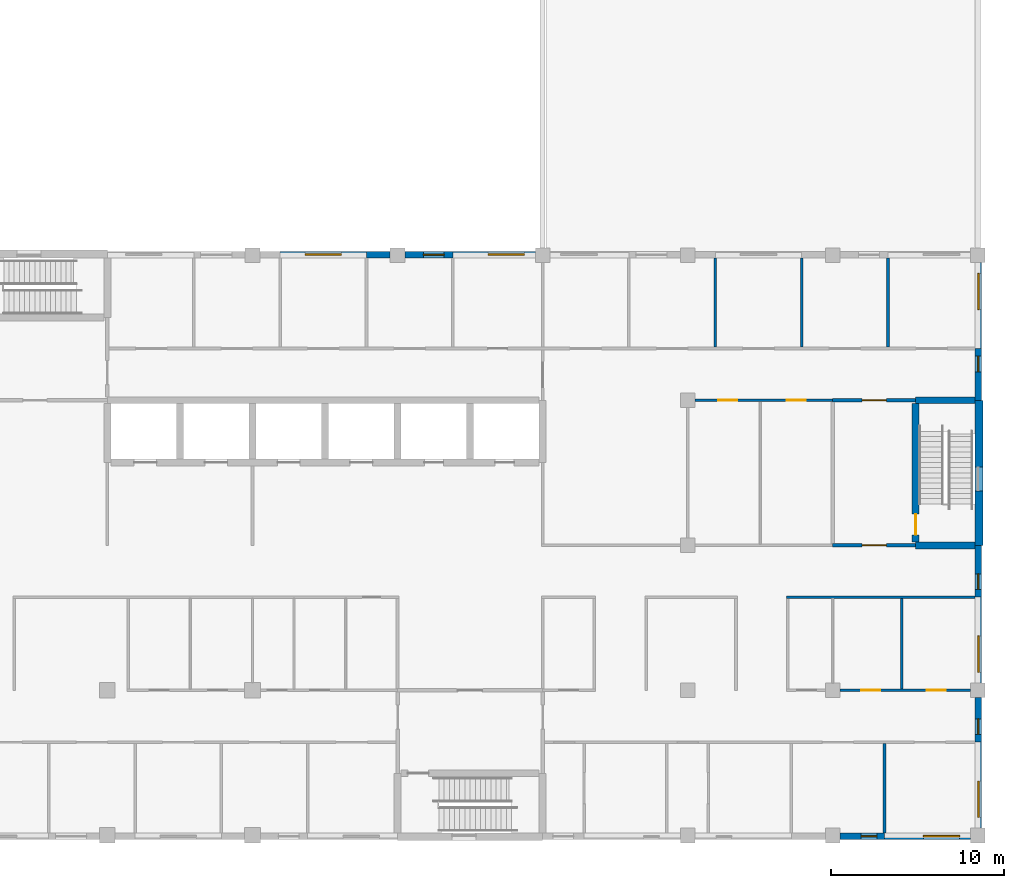
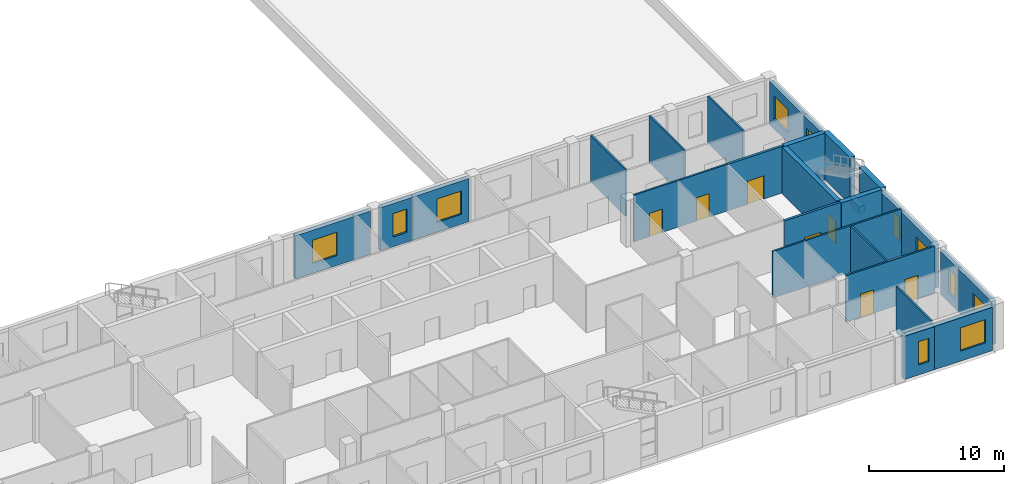
# One storey, part 48 of 66: 28 walls, 11 windows, 7 doors, 18 openings.
"""IFC4 building model written with IfcOpenShell, lengths in metres."""

from ifc_helpers import new_model, si_unit, direction, frame, frame_2d, origin, place, context, subcontext, project, spatial, rectangle, extrude, material, layer, layer_set, type_object, element, fill, save


model = new_model("IFC4")

# Units and contexts
model_context = context("Model", 3, precision=1e-05, world=origin(), true_north=direction((0.0, 1.0)))
body_context = subcontext(model_context, "Body", "Model", "MODEL_VIEW")
ifc_project = project(units=[si_unit("LENGTHUNIT", "METRE"), si_unit("AREAUNIT", "SQUARE_METRE"), si_unit("VOLUMEUNIT", "CUBIC_METRE"), si_unit("PLANEANGLEUNIT", "RADIAN"), si_unit("MASSUNIT", "GRAM", prefix="KILO")], contexts=[model_context])

# Site, building, storey
site_placement = place(None, origin())
site = spatial("IfcSite", under=ifc_project, at=site_placement, CompositionType="ELEMENT")
building_placement = place(site_placement, origin())
building = spatial("IfcBuilding", under=site, at=building_placement, Name="Yavir Park General Hospital", CompositionType="ELEMENT")
storey_placement = place(building_placement, frame((0.0, 0.0, 8.39990234375)))
storey = spatial("IfcBuildingStorey", under=building, at=storey_placement, Name="L02", CompositionType="ELEMENT", Elevation=8.39990234375)

# Wall, opening, door
ifc_material_1 = material(Name="Double gypsum board fire partition on steel studs", Category="steel")
ifc_layer_1 = layer(ifc_material_1, 0.199951171875)
ifc_layer_set_1 = layer_set([ifc_layer_1], Name="Double gypsum board fire partition on steel studs")
wall_type_1 = type_object("IfcWallType", Name="Fire-rated partition 200, EI 60", PredefinedType="PARTITIONING", material=ifc_layer_set_1)
wall_1_placement = place(storey_placement, frame((159.60009765625, 16.800048828125, 0.0), z_axis=(0.0, 0.0, 1.0), x_axis=(1.0, 0.0, 0.0)))
wall_1 = element("IfcWall", 1, at=wall_1_placement, inside=storey, type_object=wall_type_1, Name="FP20 L02-047", PredefinedType="PARTITIONING", context=body_context, shape_type="SweptSolid", body=[
    extrude(rectangle(XDim=4.7998046875, YDim=0.199951171875, at=frame_2d((2.39990234375, 0.0))), origin(), (0.0, 0.0, 1.0), 4.2001953125),
])
opening_1_placement = place(wall_1_placement, frame((1.699951171875, 0.0, 0.0)))
opening_1 = element("IfcOpeningElement", 2, at=opening_1_placement, cuts=wall_1, Name="Opening L02.D061", PredefinedType="OPENING", context=body_context, shape_type="SweptSolid", body=[
    extrude(rectangle(XDim=1.39990234375, YDim=2.10009765625, at=frame_2d((0.699951171875, 1.050048828125))), frame((0.0, 0.10986328125, 0.0), z_axis=(0.0, -1.0, 0.0), x_axis=(1.0, 0.0, 0.0)), (0.0, 0.0, 1.0), 0.219970703125),
])
ifc_material_2 = material(Name="Steel frame, fire-resisting leaves with vision panels", Category="steel")
door_type_1 = type_object("IfcDoorType", Name="Double fire door with vision panels 1400 x 2100, EI 60", OperationType="DOUBLE_DOOR_SINGLE_SWING", PredefinedType="DOOR", material=ifc_material_2)
door_1_placement = place(opening_1_placement, origin())
door_1 = element("IfcDoor", 3, at=door_1_placement, inside=storey, type_object=door_type_1, Name="L02.D061", OperationType="SINGLE_SWING_RIGHT", OverallHeight=2.10009765625, OverallWidth=1.39990234375, PredefinedType="DOOR", context=body_context, shape_type="SweptSolid", body=[
    extrude(rectangle(XDim=1.39990234375, YDim=2.10009765625, at=frame_2d((0.699951171875, 1.050048828125))), frame((0.0, 0.030029296875, 0.0), z_axis=(0.0, -1.0, 0.0), x_axis=(1.0, 0.0, 0.0)), (0.0, 0.0, 1.0), 0.06005859375),
])
fill(opening_1, door_1)

wall_2_placement = place(storey_placement, frame((159.60009765625, 25.199951171875, 0.0), z_axis=(0.0, 0.0, 1.0), x_axis=(1.0, 0.0, 0.0)))
wall_2 = element("IfcWall", 4, at=wall_2_placement, inside=storey, type_object=wall_type_1, Name="FP20 L02-070", PredefinedType="PARTITIONING", context=body_context, shape_type="SweptSolid", body=[
    extrude(rectangle(XDim=4.7998046875, YDim=0.199951171875, at=frame_2d((2.39990234375, 0.0))), origin(), (0.0, 0.0, 1.0), 4.2001953125),
])
opening_2_placement = place(wall_2_placement, frame((1.699951171875, 0.0, 0.0)))
opening_2 = element("IfcOpeningElement", 5, at=opening_2_placement, cuts=wall_2, Name="Opening L02.D079", PredefinedType="OPENING", context=body_context, shape_type="SweptSolid", body=[
    extrude(rectangle(XDim=1.39990234375, YDim=2.10009765625, at=frame_2d((0.699951171875, 1.050048828125))), frame((0.0, 0.10986328125, 0.0), z_axis=(0.0, -1.0, 0.0), x_axis=(1.0, 0.0, 0.0)), (0.0, 0.0, 1.0), 0.219970703125),
])
door_2_placement = place(opening_2_placement, origin())
door_2 = element("IfcDoor", 6, at=door_2_placement, inside=storey, type_object=door_type_1, Name="L02.D079", OperationType="SINGLE_SWING_LEFT", OverallHeight=2.10009765625, OverallWidth=1.39990234375, PredefinedType="DOOR", context=body_context, shape_type="SweptSolid", body=[
    extrude(rectangle(XDim=1.39990234375, YDim=2.10009765625, at=frame_2d((0.699951171875, 1.050048828125))), frame((0.0, 0.030029296875, 0.0), z_axis=(0.0, -1.0, 0.0), x_axis=(1.0, 0.0, 0.0)), (0.0, 0.0, 1.0), 0.06005859375),
])
fill(opening_2, door_2)

# Wall, openings, doors
ifc_material_3 = material(Name="Gypsum board partition on steel studs", Category="steel")
ifc_layer_2 = layer(ifc_material_3, 0.14990234375)
ifc_layer_set_2 = layer_set([ifc_layer_2], Name="Gypsum board partition on steel studs")
wall_type_2 = type_object("IfcWallType", Name="Gypsum board partition 150", PredefinedType="PARTITIONING", material=ifc_layer_set_2)
wall_3_placement = place(storey_placement, frame((160.02490234375, 8.39990234375, 0.0), z_axis=(0.0, 0.0, 1.0), x_axis=(1.0, 0.0, 0.0)))
wall_3 = element("IfcWall", 7, at=wall_3_placement, inside=storey, type_object=wall_type_2, Name="P15 L02-025", PredefinedType="PARTITIONING", context=body_context, shape_type="SweptSolid", body=[
    extrude(rectangle(XDim=7.550048828125, YDim=0.14990234375, at=frame_2d((3.77490234375, 0.0))), origin(), (0.0, 0.0, 1.0), 4.2001953125),
])
opening_3_placement = place(wall_3_placement, frame((1.237548828125, 0.0, 0.0)))
opening_3 = element("IfcOpeningElement", 8, at=opening_3_placement, cuts=wall_3, Name="Opening L02.D037", PredefinedType="OPENING", context=body_context, shape_type="SweptSolid", body=[
    extrude(rectangle(XDim=1.10009765625, YDim=2.10009765625, at=frame_2d((0.550048828125, 1.050048828125))), frame((0.0, 0.0849609375, 0.0), z_axis=(0.0, -1.0, 0.0), x_axis=(1.0, 0.0, 0.0)), (0.0, 0.0, 1.0), 0.169921875),
])
opening_4_placement = place(wall_3_placement, frame((5.012451171875, 0.0, 0.0)))
opening_4 = element("IfcOpeningElement", 9, at=opening_4_placement, cuts=wall_3, Name="Opening L02.D038", PredefinedType="OPENING", context=body_context, shape_type="SweptSolid", body=[
    extrude(rectangle(XDim=1.10009765625, YDim=2.10009765625, at=frame_2d((0.550048828125, 1.050048828125))), frame((0.0, 0.0849609375, 0.0), z_axis=(0.0, -1.0, 0.0), x_axis=(1.0, 0.0, 0.0)), (0.0, 0.0, 1.0), 0.169921875),
])
ifc_material_4 = material(Name="Hollow metal frame, solid-core timber leaf", Category="wood")
door_type_2 = type_object("IfcDoorType", Name="Single swing door 1100 x 2100", OperationType="SINGLE_SWING_LEFT", PredefinedType="DOOR", material=ifc_material_4)
door_3_placement = place(opening_3_placement, origin())
door_3 = element("IfcDoor", 10, at=door_3_placement, inside=storey, type_object=door_type_2, Name="L02.D037", OperationType="SINGLE_SWING_LEFT", OverallHeight=2.10009765625, OverallWidth=1.10009765625, PredefinedType="DOOR", context=body_context, shape_type="SweptSolid", body=[
    extrude(rectangle(XDim=1.10009765625, YDim=2.10009765625, at=frame_2d((0.550048828125, 1.050048828125))), frame((0.0, 0.02490234375, 0.0), z_axis=(0.0, -1.0, 0.0), x_axis=(1.0, 0.0, 0.0)), (0.0, 0.0, 1.0), 0.050048828125),
])
fill(opening_3, door_3)
door_4_placement = place(opening_4_placement, origin())
door_4 = element("IfcDoor", 11, at=door_4_placement, inside=storey, type_object=door_type_2, Name="L02.D038", OperationType="SINGLE_SWING_RIGHT", OverallHeight=2.10009765625, OverallWidth=1.10009765625, PredefinedType="DOOR", context=body_context, shape_type="SweptSolid", body=[
    extrude(rectangle(XDim=1.10009765625, YDim=2.10009765625, at=frame_2d((0.550048828125, 1.050048828125))), frame((0.0, 0.02490234375, 0.0), z_axis=(0.0, -1.0, 0.0), x_axis=(1.0, 0.0, 0.0)), (0.0, 0.0, 1.0), 0.050048828125),
])
fill(opening_4, door_4)

# Wall
wall_4_placement = place(storey_placement, frame((156.925048828125, 13.800048828125, 0.0), z_axis=(0.0, 0.0, 1.0), x_axis=(1.0, 0.0, 0.0)))
element("IfcWall", 12, at=wall_4_placement, inside=storey, type_object=wall_type_2, Name="P15 L02-033", PredefinedType="PARTITIONING", context=body_context, shape_type="SweptSolid", body=[
    extrude(rectangle(XDim=10.925048828125, YDim=0.14990234375, at=frame_2d((5.46240234375, 0.0))), origin(), (0.0, 0.0, 1.0), 4.2001953125),
])

# Wall, openings, doors
wall_5_placement = place(storey_placement, frame((151.625, 25.199951171875, 0.0), z_axis=(0.0, 0.0, 1.0), x_axis=(1.0, 0.0, 0.0)))
wall_5 = element("IfcWall", 13, at=wall_5_placement, inside=storey, type_object=wall_type_2, Name="P15 L02-069", PredefinedType="PARTITIONING", context=body_context, shape_type="SweptSolid", body=[
    extrude(rectangle(XDim=7.97509765625, YDim=0.14990234375, at=frame_2d((3.987548828125, 0.0))), origin(), (0.0, 0.0, 1.0), 4.2001953125),
])
opening_5_placement = place(wall_5_placement, frame((1.33740234375, 0.0, 0.0)))
opening_5 = element("IfcOpeningElement", 14, at=opening_5_placement, cuts=wall_5, Name="Opening L02.D077", PredefinedType="OPENING", context=body_context, shape_type="SweptSolid", body=[
    extrude(rectangle(XDim=1.10009765625, YDim=2.10009765625, at=frame_2d((0.550048828125, 1.050048828125))), frame((0.0, 0.0849609375, 0.0), z_axis=(0.0, -1.0, 0.0), x_axis=(1.0, 0.0, 0.0)), (0.0, 0.0, 1.0), 0.169921875),
])
opening_6_placement = place(wall_5_placement, frame((5.324951171875, 0.0, 0.0)))
opening_6 = element("IfcOpeningElement", 15, at=opening_6_placement, cuts=wall_5, Name="Opening L02.D078", PredefinedType="OPENING", context=body_context, shape_type="SweptSolid", body=[
    extrude(rectangle(XDim=1.10009765625, YDim=2.10009765625, at=frame_2d((0.550048828125, 1.050048828125))), frame((0.0, 0.0849609375, 0.0), z_axis=(0.0, -1.0, 0.0), x_axis=(1.0, 0.0, 0.0)), (0.0, 0.0, 1.0), 0.169921875),
])
door_5_placement = place(opening_5_placement, origin())
door_5 = element("IfcDoor", 16, at=door_5_placement, inside=storey, type_object=door_type_2, Name="L02.D077", OperationType="SINGLE_SWING_RIGHT", OverallHeight=2.10009765625, OverallWidth=1.10009765625, PredefinedType="DOOR", context=body_context, shape_type="SweptSolid", body=[
    extrude(rectangle(XDim=1.10009765625, YDim=2.10009765625, at=frame_2d((0.550048828125, 1.050048828125))), frame((0.0, 0.02490234375, 0.0), z_axis=(0.0, -1.0, 0.0), x_axis=(1.0, 0.0, 0.0)), (0.0, 0.0, 1.0), 0.050048828125),
])
fill(opening_5, door_5)
door_6_placement = place(opening_6_placement, origin())
door_6 = element("IfcDoor", 17, at=door_6_placement, inside=storey, type_object=door_type_2, Name="L02.D078", OperationType="SINGLE_SWING_LEFT", OverallHeight=2.10009765625, OverallWidth=1.10009765625, PredefinedType="DOOR", context=body_context, shape_type="SweptSolid", body=[
    extrude(rectangle(XDim=1.10009765625, YDim=2.10009765625, at=frame_2d((0.550048828125, 1.050048828125))), frame((0.0, 0.02490234375, 0.0), z_axis=(0.0, -1.0, 0.0), x_axis=(1.0, 0.0, 0.0)), (0.0, 0.0, 1.0), 0.050048828125),
])
fill(opening_6, door_6)

# Walls
for number, where, z_axis, x_axis, name in (
    (18, (152.800048828125, 28.27490234375, 0.0), (0.0, 0.0, 1.0), (0.0, 1.0, 0.0), "P15 L02-329"),
    (19, (157.800048828125, 28.27490234375, 0.0), (0.0, 0.0, 1.0), (0.0, 1.0, 0.0), "P15 L02-335"),
    (20, (162.60009765625, 0.14990234375, 0.0), (0.0, 0.0, 1.0), (0.0, 1.0, 0.0), "P15 L02-339"),
    (21, (162.800048828125, 28.27490234375, 0.0), (0.0, 0.0, 1.0), (0.0, 1.0, 0.0), "P15 L02-340"),
):
    element("IfcWall", number, at=place(storey_placement, frame(where, z_axis=z_axis, x_axis=x_axis)), inside=storey, type_object=wall_type_2, Name=name, PredefinedType="PARTITIONING", context=body_context, shape_type="SweptSolid", body=[
        extrude(rectangle(XDim=5.175048828125, YDim=0.14990234375, at=frame_2d((2.58740234375, 0.0))), origin(), (0.0, 0.0, 1.0), 4.2001953125),
    ])
wall_6_placement = place(storey_placement, frame((163.60009765625, 8.47509765625, 0.0), z_axis=(0.0, 0.0, 1.0), x_axis=(0.0, 1.0, 0.0)))
element("IfcWall", 22, at=wall_6_placement, inside=storey, type_object=wall_type_2, Name="P15 L02-341", PredefinedType="PARTITIONING", context=body_context, shape_type="SweptSolid", body=[
    extrude(rectangle(XDim=5.25, YDim=0.14990234375, at=frame_2d((2.625, 0.0))), origin(), (0.0, 0.0, 1.0), 4.2001953125),
])

# Wall, opening, window
ifc_material_5 = material(Name="Autoclaved aerated block, 150 mm mineral wool and sand-coloured mineral render")
ifc_layer_3 = layer(ifc_material_5, 0.375)
ifc_layer_set_3 = layer_set([ifc_layer_3], Name="Autoclaved aerated block, 150 mm mineral wool and sand-coloured mineral render")
wall_type_3 = type_object("IfcWallType", Name="Mineral render clinical wall 375, E 30", PredefinedType="SOLIDWALL", material=ifc_layer_set_3)
wall_7_placement = place(storey_placement, frame((160.02490234375, -0.03759765625, 0.0), z_axis=(0.0, 0.0, 1.0), x_axis=(1.0, 0.0, 0.0)))
wall_7 = element("IfcWall", 23, at=wall_7_placement, inside=storey, type_object=wall_type_3, Name="XW1 L02-044", PredefinedType="SOLIDWALL", context=body_context, shape_type="SweptSolid", body=[
    extrude(rectangle(XDim=2.5751953125, YDim=0.375, at=frame_2d((1.28759765625, 0.0))), origin(), (0.0, 0.0, 1.0), 3.900146484375),
])
opening_7_placement = place(wall_7_placement, frame((1.22509765625, 0.0, 0.89990234375)))
opening_7 = element("IfcOpeningElement", 24, at=opening_7_placement, cuts=wall_7, Name="Opening WH2", PredefinedType="OPENING", context=body_context, shape_type="SweptSolid", body=[
    extrude(rectangle(XDim=0.89990234375, YDim=2.10009765625, at=frame_2d((0.449951171875, 1.050048828125))), frame((0.0, 0.197509765625, 0.0), z_axis=(0.0, -1.0, 0.0), x_axis=(1.0, 0.0, 0.0)), (0.0, 0.0, 1.0), 0.39501953125),
])
ifc_material_6 = material(Name="Aluminium frame, double glazed unit", Category="aluminium")
window_type_1 = type_object("IfcWindowType", Name="Tall narrow window 900 x 2100", PartitioningType="SINGLE_PANEL", PredefinedType="WINDOW", material=ifc_material_6)
window_1_placement = place(opening_7_placement, origin())
window_1 = element("IfcWindow", 25, at=window_1_placement, inside=storey, type_object=window_type_1, Name="WH2 L02-018", OverallHeight=2.10009765625, OverallWidth=0.89990234375, PartitioningType="SINGLE_PANEL", PredefinedType="WINDOW", context=body_context, shape_type="SweptSolid", body=[
    extrude(rectangle(XDim=0.89990234375, YDim=2.10009765625, at=frame_2d((0.449951171875, 1.050048828125))), frame((0.0, 0.030029296875, 0.0), z_axis=(0.0, -1.0, 0.0), x_axis=(1.0, 0.0, 0.0)), (0.0, 0.0, 1.0), 0.06005859375),
])
fill(opening_7, window_1)

wall_8_placement = place(storey_placement, frame((162.60009765625, -0.03759765625, 0.0), z_axis=(0.0, 0.0, 1.0), x_axis=(1.0, 0.0, 0.0)))
wall_8 = element("IfcWall", 26, at=wall_8_placement, inside=storey, type_object=wall_type_3, Name="XW1 L02-045", PredefinedType="SOLIDWALL", context=body_context, shape_type="SweptSolid", body=[
    extrude(rectangle(XDim=4.974853515625, YDim=0.375, at=frame_2d((2.4873046875, 0.0))), origin(), (0.0, 0.0, 1.0), 3.900146484375),
])
opening_8_placement = place(wall_8_placement, frame((2.25, 0.0, 0.89990234375)))
opening_8 = element("IfcOpeningElement", 27, at=opening_8_placement, cuts=wall_8, Name="Opening WI2", PredefinedType="OPENING", context=body_context, shape_type="SweptSolid", body=[
    extrude(rectangle(XDim=2.10009765625, YDim=2.10009765625, at=frame_2d((1.050048828125, 1.050048828125))), frame((0.0, 0.197509765625, 0.0), z_axis=(0.0, -1.0, 0.0), x_axis=(1.0, 0.0, 0.0)), (0.0, 0.0, 1.0), 0.39501953125),
])
ifc_material_7 = material(Name="Aluminium frame, acoustic glazed unit", Category="aluminium")
window_type_2 = type_object("IfcWindowType", Name="Tall acoustic glazed window 2100 x 2100", PartitioningType="SINGLE_PANEL", PredefinedType="WINDOW", material=ifc_material_7)
window_2_placement = place(opening_8_placement, origin())
window_2 = element("IfcWindow", 28, at=window_2_placement, inside=storey, type_object=window_type_2, Name="WI2 L02-019", OverallHeight=2.10009765625, OverallWidth=2.10009765625, PartitioningType="SINGLE_PANEL", PredefinedType="WINDOW", context=body_context, shape_type="SweptSolid", body=[
    extrude(rectangle(XDim=2.10009765625, YDim=2.10009765625, at=frame_2d((1.050048828125, 1.050048828125))), frame((0.0, 0.044921875, 0.0), z_axis=(0.0, -1.0, 0.0), x_axis=(1.0, 0.0, 0.0)), (0.0, 0.0, 1.0), 0.090087890625),
])
fill(opening_8, window_2)

wall_9_placement = place(storey_placement, frame((127.60009765625, 33.637451171875, 0.0), z_axis=(0.0, 0.0, 1.0), x_axis=(1.0, 0.0, 0.0)))
wall_9 = element("IfcWall", 29, at=wall_9_placement, inside=storey, type_object=wall_type_3, Name="XW1 L02-066", PredefinedType="SOLIDWALL", context=body_context, shape_type="SweptSolid", body=[
    extrude(rectangle(XDim=5.0, YDim=0.375, at=frame_2d((2.5, 0.0))), origin(), (0.0, 0.0, 1.0), 3.900146484375),
])
opening_9_placement = place(wall_9_placement, frame((1.449951171875, 0.0, 0.89990234375)))
opening_9 = element("IfcOpeningElement", 30, at=opening_9_placement, cuts=wall_9, Name="Opening WI2", PredefinedType="OPENING", context=body_context, shape_type="SweptSolid", body=[
    extrude(rectangle(XDim=2.10009765625, YDim=2.10009765625, at=frame_2d((1.050048828125, 1.050048828125))), frame((0.0, 0.197509765625, 0.0), z_axis=(0.0, -1.0, 0.0), x_axis=(1.0, 0.0, 0.0)), (0.0, 0.0, 1.0), 0.39501953125),
])
window_3_placement = place(opening_9_placement, origin())
window_3 = element("IfcWindow", 31, at=window_3_placement, inside=storey, type_object=window_type_2, Name="WI2 L02-038", OverallHeight=2.10009765625, OverallWidth=2.10009765625, PartitioningType="SINGLE_PANEL", PredefinedType="WINDOW", context=body_context, shape_type="SweptSolid", body=[
    extrude(rectangle(XDim=2.10009765625, YDim=2.10009765625, at=frame_2d((1.050048828125, 1.050048828125))), frame((0.0, 0.044921875, 0.0), z_axis=(0.0, -1.0, 0.0), x_axis=(1.0, 0.0, 0.0)), (0.0, 0.0, 1.0), 0.090087890625),
])
fill(opening_9, window_3)

# Wall
wall_10_placement = place(storey_placement, frame((132.60009765625, 33.637451171875, 0.0), z_axis=(0.0, 0.0, 1.0), x_axis=(1.0, 0.0, 0.0)))
element("IfcWall", 32, at=wall_10_placement, inside=storey, type_object=wall_type_3, Name="XW1 L02-067", PredefinedType="SOLIDWALL", context=body_context, shape_type="SweptSolid", body=[
    extrude(rectangle(XDim=1.375, YDim=0.375, at=frame_2d((0.6875, 0.0))), origin(), (0.0, 0.0, 1.0), 3.900146484375),
])

# Wall, opening, window
wall_11_placement = place(storey_placement, frame((134.824951171875, 33.637451171875, 0.0), z_axis=(0.0, 0.0, 1.0), x_axis=(1.0, 0.0, 0.0)))
wall_11 = element("IfcWall", 33, at=wall_11_placement, inside=storey, type_object=wall_type_3, Name="XW1 L02-068", PredefinedType="SOLIDWALL", context=body_context, shape_type="SweptSolid", body=[
    extrude(rectangle(XDim=2.775146484375, YDim=0.375, at=frame_2d((1.3876953125, 0.0))), origin(), (0.0, 0.0, 1.0), 3.900146484375),
])
opening_10_placement = place(wall_11_placement, frame((1.074951171875, 0.0, 0.89990234375)))
opening_10 = element("IfcOpeningElement", 34, at=opening_10_placement, cuts=wall_11, Name="Opening WD2", PredefinedType="OPENING", context=body_context, shape_type="SweptSolid", body=[
    extrude(rectangle(XDim=1.199951171875, YDim=2.10009765625, at=frame_2d((0.60009765625, 1.050048828125))), frame((0.0, 0.197509765625, 0.0), z_axis=(0.0, -1.0, 0.0), x_axis=(1.0, 0.0, 0.0)), (0.0, 0.0, 1.0), 0.39501953125),
])
ifc_material_8 = material(Name="Aluminium frame, double glazed unit", Category="aluminium")
window_type_3 = type_object("IfcWindowType", Name="Tall office window 1200 x 2100", PartitioningType="SINGLE_PANEL", PredefinedType="WINDOW", material=ifc_material_8)
window_4_placement = place(opening_10_placement, origin())
window_4 = element("IfcWindow", 35, at=window_4_placement, inside=storey, type_object=window_type_3, Name="WD2 L02-039", OverallHeight=2.10009765625, OverallWidth=1.199951171875, PartitioningType="SINGLE_PANEL", PredefinedType="WINDOW", context=body_context, shape_type="SweptSolid", body=[
    extrude(rectangle(XDim=1.199951171875, YDim=2.10009765625, at=frame_2d((0.60009765625, 1.050048828125))), frame((0.0, 0.030029296875, 0.0), z_axis=(0.0, -1.0, 0.0), x_axis=(1.0, 0.0, 0.0)), (0.0, 0.0, 1.0), 0.06005859375),
])
fill(opening_10, window_4)

wall_12_placement = place(storey_placement, frame((137.60009765625, 33.637451171875, 0.0), z_axis=(0.0, 0.0, 1.0), x_axis=(1.0, 0.0, 0.0)))
wall_12 = element("IfcWall", 36, at=wall_12_placement, inside=storey, type_object=wall_type_3, Name="XW1 L02-069", PredefinedType="SOLIDWALL", context=body_context, shape_type="SweptSolid", body=[
    extrude(rectangle(XDim=4.77490234375, YDim=0.375, at=frame_2d((2.387451171875, 0.0))), origin(), (0.0, 0.0, 1.0), 3.900146484375),
])
opening_11_placement = place(wall_12_placement, frame((2.050048828125, 0.0, 0.89990234375)))
opening_11 = element("IfcOpeningElement", 37, at=opening_11_placement, cuts=wall_12, Name="Opening WI2", PredefinedType="OPENING", context=body_context, shape_type="SweptSolid", body=[
    extrude(rectangle(XDim=2.10009765625, YDim=2.10009765625, at=frame_2d((1.050048828125, 1.050048828125))), frame((0.0, 0.197509765625, 0.0), z_axis=(0.0, -1.0, 0.0), x_axis=(1.0, 0.0, 0.0)), (0.0, 0.0, 1.0), 0.39501953125),
])
window_5_placement = place(opening_11_placement, origin())
window_5 = element("IfcWindow", 38, at=window_5_placement, inside=storey, type_object=window_type_2, Name="WI2 L02-040", OverallHeight=2.10009765625, OverallWidth=2.10009765625, PartitioningType="SINGLE_PANEL", PredefinedType="WINDOW", context=body_context, shape_type="SweptSolid", body=[
    extrude(rectangle(XDim=2.10009765625, YDim=2.10009765625, at=frame_2d((1.050048828125, 1.050048828125))), frame((0.0, 0.044921875, 0.0), z_axis=(0.0, -1.0, 0.0), x_axis=(1.0, 0.0, 0.0)), (0.0, 0.0, 1.0), 0.090087890625),
])
fill(opening_11, window_5)

wall_13_placement = place(storey_placement, frame((168.03759765625, 0.425048828125, 0.0), z_axis=(0.0, 0.0, 1.0), x_axis=(0.0, 1.0, 0.0)))
wall_13 = element("IfcWall", 39, at=wall_13_placement, inside=storey, type_object=wall_type_3, Name="XW1 L02-159", PredefinedType="SOLIDWALL", context=body_context, shape_type="SweptSolid", body=[
    extrude(rectangle(XDim=4.974853515625, YDim=0.375, at=frame_2d((2.4873046875, 0.0))), origin(), (0.0, 0.0, 1.0), 3.900146484375),
])
opening_12_placement = place(wall_13_placement, frame((0.625, 0.0, 0.89990234375)))
opening_12 = element("IfcOpeningElement", 40, at=opening_12_placement, cuts=wall_13, Name="Opening WI2", PredefinedType="OPENING", context=body_context, shape_type="SweptSolid", body=[
    extrude(rectangle(XDim=2.10009765625, YDim=2.10009765625, at=frame_2d((1.050048828125, 1.050048828125))), frame((0.0, 0.197509765625, 0.0), z_axis=(0.0, -1.0, 0.0), x_axis=(1.0, 0.0, 0.0)), (0.0, 0.0, 1.0), 0.39501953125),
])
window_6_placement = place(opening_12_placement, origin())
window_6 = element("IfcWindow", 41, at=window_6_placement, inside=storey, type_object=window_type_2, Name="WI2 L02-070", OverallHeight=2.10009765625, OverallWidth=2.10009765625, PartitioningType="SINGLE_PANEL", PredefinedType="WINDOW", context=body_context, shape_type="SweptSolid", body=[
    extrude(rectangle(XDim=2.10009765625, YDim=2.10009765625, at=frame_2d((1.050048828125, 1.050048828125))), frame((0.0, 0.044921875, 0.0), z_axis=(0.0, -1.0, 0.0), x_axis=(1.0, 0.0, 0.0)), (0.0, 0.0, 1.0), 0.090087890625),
])
fill(opening_12, window_6)

wall_14_placement = place(storey_placement, frame((168.03759765625, 5.39990234375, 0.0), z_axis=(0.0, 0.0, 1.0), x_axis=(0.0, 1.0, 0.0)))
wall_14 = element("IfcWall", 42, at=wall_14_placement, inside=storey, type_object=wall_type_3, Name="XW1 L02-160", PredefinedType="SOLIDWALL", context=body_context, shape_type="SweptSolid", body=[
    extrude(rectangle(XDim=2.5751953125, YDim=0.375, at=frame_2d((1.28759765625, 0.0))), origin(), (0.0, 0.0, 1.0), 3.900146484375),
])
opening_13_placement = place(wall_14_placement, frame((0.449951171875, 0.0, 0.89990234375)))
opening_13 = element("IfcOpeningElement", 43, at=opening_13_placement, cuts=wall_14, Name="Opening WH2", PredefinedType="OPENING", context=body_context, shape_type="SweptSolid", body=[
    extrude(rectangle(XDim=0.89990234375, YDim=2.10009765625, at=frame_2d((0.449951171875, 1.050048828125))), frame((0.0, 0.197509765625, 0.0), z_axis=(0.0, -1.0, 0.0), x_axis=(1.0, 0.0, 0.0)), (0.0, 0.0, 1.0), 0.39501953125),
])
window_7_placement = place(opening_13_placement, origin())
window_7 = element("IfcWindow", 44, at=window_7_placement, inside=storey, type_object=window_type_1, Name="WH2 L02-071", OverallHeight=2.10009765625, OverallWidth=0.89990234375, PartitioningType="SINGLE_PANEL", PredefinedType="WINDOW", context=body_context, shape_type="SweptSolid", body=[
    extrude(rectangle(XDim=0.89990234375, YDim=2.10009765625, at=frame_2d((0.449951171875, 1.050048828125))), frame((0.0, 0.030029296875, 0.0), z_axis=(0.0, -1.0, 0.0), x_axis=(1.0, 0.0, 0.0)), (0.0, 0.0, 1.0), 0.06005859375),
])
fill(opening_13, window_7)

wall_15_placement = place(storey_placement, frame((168.03759765625, 8.824951171875, 0.0), z_axis=(0.0, 0.0, 1.0), x_axis=(0.0, 1.0, 0.0)))
wall_15 = element("IfcWall", 45, at=wall_15_placement, inside=storey, type_object=wall_type_3, Name="XW1 L02-161", PredefinedType="SOLIDWALL", context=body_context, shape_type="SweptSolid", body=[
    extrude(rectangle(XDim=4.97509765625, YDim=0.375, at=frame_2d((2.487548828125, 0.0))), origin(), (0.0, 0.0, 1.0), 3.900146484375),
])
opening_14_placement = place(wall_15_placement, frame((0.625, 0.0, 0.89990234375)))
opening_14 = element("IfcOpeningElement", 46, at=opening_14_placement, cuts=wall_15, Name="Opening WI2", PredefinedType="OPENING", context=body_context, shape_type="SweptSolid", body=[
    extrude(rectangle(XDim=2.10009765625, YDim=2.10009765625, at=frame_2d((1.050048828125, 1.050048828125))), frame((0.0, 0.197509765625, 0.0), z_axis=(0.0, -1.0, 0.0), x_axis=(1.0, 0.0, 0.0)), (0.0, 0.0, 1.0), 0.39501953125),
])
window_8_placement = place(opening_14_placement, origin())
window_8 = element("IfcWindow", 47, at=window_8_placement, inside=storey, type_object=window_type_2, Name="WI2 L02-072", OverallHeight=2.10009765625, OverallWidth=2.10009765625, PartitioningType="SINGLE_PANEL", PredefinedType="WINDOW", context=body_context, shape_type="SweptSolid", body=[
    extrude(rectangle(XDim=2.10009765625, YDim=2.10009765625, at=frame_2d((1.050048828125, 1.050048828125))), frame((0.0, 0.044921875, 0.0), z_axis=(0.0, -1.0, 0.0), x_axis=(1.0, 0.0, 0.0)), (0.0, 0.0, 1.0), 0.090087890625),
])
fill(opening_14, window_8)

wall_16_placement = place(storey_placement, frame((168.03759765625, 13.800048828125, 0.0), z_axis=(0.0, 0.0, 1.0), x_axis=(0.0, 1.0, 0.0)))
wall_16 = element("IfcWall", 48, at=wall_16_placement, inside=storey, type_object=wall_type_3, Name="XW1 L02-162", PredefinedType="SOLIDWALL", context=body_context, shape_type="SweptSolid", body=[
    extrude(rectangle(XDim=3.0, YDim=0.375, at=frame_2d((1.5, 0.0))), origin(), (0.0, 0.0, 1.0), 3.900146484375),
])
opening_15_placement = place(wall_16_placement, frame((0.449951171875, 0.0, 0.89990234375)))
opening_15 = element("IfcOpeningElement", 49, at=opening_15_placement, cuts=wall_16, Name="Opening WH2", PredefinedType="OPENING", context=body_context, shape_type="SweptSolid", body=[
    extrude(rectangle(XDim=0.89990234375, YDim=2.10009765625, at=frame_2d((0.449951171875, 1.050048828125))), frame((0.0, 0.197509765625, 0.0), z_axis=(0.0, -1.0, 0.0), x_axis=(1.0, 0.0, 0.0)), (0.0, 0.0, 1.0), 0.39501953125),
])
window_9_placement = place(opening_15_placement, origin())
window_9 = element("IfcWindow", 50, at=window_9_placement, inside=storey, type_object=window_type_1, Name="WH2 L02-073", OverallHeight=2.10009765625, OverallWidth=0.89990234375, PartitioningType="SINGLE_PANEL", PredefinedType="WINDOW", context=body_context, shape_type="SweptSolid", body=[
    extrude(rectangle(XDim=0.89990234375, YDim=2.10009765625, at=frame_2d((0.449951171875, 1.050048828125))), frame((0.0, 0.030029296875, 0.0), z_axis=(0.0, -1.0, 0.0), x_axis=(1.0, 0.0, 0.0)), (0.0, 0.0, 1.0), 0.06005859375),
])
fill(opening_15, window_9)

wall_17_placement = place(storey_placement, frame((168.03759765625, 25.199951171875, 0.0), z_axis=(0.0, 0.0, 1.0), x_axis=(0.0, 1.0, 0.0)))
wall_17 = element("IfcWall", 51, at=wall_17_placement, inside=storey, type_object=wall_type_3, Name="XW1 L02-166", PredefinedType="SOLIDWALL", context=body_context, shape_type="SweptSolid", body=[
    extrude(rectangle(XDim=3.0, YDim=0.375, at=frame_2d((1.5, 0.0))), origin(), (0.0, 0.0, 1.0), 3.900146484375),
])
opening_16_placement = place(wall_17_placement, frame((1.64990234375, 0.0, 0.89990234375)))
opening_16 = element("IfcOpeningElement", 52, at=opening_16_placement, cuts=wall_17, Name="Opening WH2", PredefinedType="OPENING", context=body_context, shape_type="SweptSolid", body=[
    extrude(rectangle(XDim=0.89990234375, YDim=2.10009765625, at=frame_2d((0.449951171875, 1.050048828125))), frame((0.0, 0.197509765625, 0.0), z_axis=(0.0, -1.0, 0.0), x_axis=(1.0, 0.0, 0.0)), (0.0, 0.0, 1.0), 0.39501953125),
])
window_10_placement = place(opening_16_placement, origin())
window_10 = element("IfcWindow", 53, at=window_10_placement, inside=storey, type_object=window_type_1, Name="WH2 L02-074", OverallHeight=2.10009765625, OverallWidth=0.89990234375, PartitioningType="SINGLE_PANEL", PredefinedType="WINDOW", context=body_context, shape_type="SweptSolid", body=[
    extrude(rectangle(XDim=0.89990234375, YDim=2.10009765625, at=frame_2d((0.449951171875, 1.050048828125))), frame((0.0, 0.030029296875, 0.0), z_axis=(0.0, -1.0, 0.0), x_axis=(1.0, 0.0, 0.0)), (0.0, 0.0, 1.0), 0.06005859375),
])
fill(opening_16, window_10)

wall_18_placement = place(storey_placement, frame((168.03759765625, 28.199951171875, 0.0), z_axis=(0.0, 0.0, 1.0), x_axis=(0.0, 1.0, 0.0)))
wall_18 = element("IfcWall", 54, at=wall_18_placement, inside=storey, type_object=wall_type_3, Name="XW1 L02-167", PredefinedType="SOLIDWALL", context=body_context, shape_type="SweptSolid", body=[
    extrude(rectangle(XDim=4.97509765625, YDim=0.375, at=frame_2d((2.487548828125, 0.0))), origin(), (0.0, 0.0, 1.0), 3.900146484375),
])
opening_17_placement = place(wall_18_placement, frame((2.25, 0.0, 0.89990234375)))
opening_17 = element("IfcOpeningElement", 55, at=opening_17_placement, cuts=wall_18, Name="Opening WI2", PredefinedType="OPENING", context=body_context, shape_type="SweptSolid", body=[
    extrude(rectangle(XDim=2.10009765625, YDim=2.10009765625, at=frame_2d((1.050048828125, 1.050048828125))), frame((0.0, 0.197509765625, 0.0), z_axis=(0.0, -1.0, 0.0), x_axis=(1.0, 0.0, 0.0)), (0.0, 0.0, 1.0), 0.39501953125),
])
window_11_placement = place(opening_17_placement, origin())
window_11 = element("IfcWindow", 56, at=window_11_placement, inside=storey, type_object=window_type_2, Name="WI2 L02-075", OverallHeight=2.10009765625, OverallWidth=2.10009765625, PartitioningType="SINGLE_PANEL", PredefinedType="WINDOW", context=body_context, shape_type="SweptSolid", body=[
    extrude(rectangle(XDim=2.10009765625, YDim=2.10009765625, at=frame_2d((1.050048828125, 1.050048828125))), frame((0.0, 0.044921875, 0.0), z_axis=(0.0, -1.0, 0.0), x_axis=(1.0, 0.0, 0.0)), (0.0, 0.0, 1.0), 0.090087890625),
])
fill(opening_17, window_11)

# Walls
ifc_material_9 = material(Name="Concrete C35/45", Category="concrete")
ifc_layer_4 = layer(ifc_material_9, 0.39990234375)
ifc_layer_set_4 = layer_set([ifc_layer_4], Name="Concrete C35/45")
wall_type_4 = type_object("IfcWallType", Name="Reinforced concrete core wall 400, REI 150", PredefinedType="SHEAR", material=ifc_layer_set_4)
for number, where, z_axis, x_axis, name in (
    (57, (164.39990234375, 16.800048828125, 0.0), (0.0, 0.0, 1.0), (1.0, 0.0, 0.0), "CW40 L02-048"),
    (58, (164.39990234375, 25.199951171875, 0.0), (0.0, 0.0, 1.0), (1.0, 0.0, 0.0), "CW40 L02-071"),
):
    element("IfcWall", number, at=place(storey_placement, frame(where, z_axis=z_axis, x_axis=x_axis)), inside=storey, type_object=wall_type_4, Name=name, PredefinedType="SHEAR", context=body_context, shape_type="SweptSolid", body=[
        extrude(rectangle(XDim=3.4501953125, YDim=0.39990234375, at=frame_2d((1.72509765625, 0.0))), origin(), (0.0, 0.0, 1.0), 4.2001953125),
    ])

# Wall, opening, door
wall_19_placement = place(storey_placement, frame((164.39990234375, 17.0, 0.0), z_axis=(0.0, 0.0, 1.0), x_axis=(0.0, 1.0, 0.0)))
wall_19 = element("IfcWall", 59, at=wall_19_placement, inside=storey, type_object=wall_type_4, Name="CW40 L02-342", PredefinedType="SHEAR", context=body_context, shape_type="SweptSolid", body=[
    extrude(rectangle(XDim=8.0, YDim=0.39990234375, at=frame_2d((4.0, 0.0))), origin(), (0.0, 0.0, 1.0), 4.2001953125),
])
opening_18_placement = place(wall_19_placement, frame((0.39990234375, 0.0, 0.0)))
opening_18 = element("IfcOpeningElement", 60, at=opening_18_placement, cuts=wall_19, Name="Opening L02.D191", PredefinedType="OPENING", context=body_context, shape_type="SweptSolid", body=[
    extrude(rectangle(XDim=1.199951171875, YDim=2.10009765625, at=frame_2d((0.60009765625, 1.050048828125))), frame((0.0, 0.2099609375, 0.0), z_axis=(0.0, -1.0, 0.0), x_axis=(1.0, 0.0, 0.0)), (0.0, 0.0, 1.0), 0.419921875),
])
ifc_material_10 = material(Name="Steel frame, fire-resisting timber leaf", Category="steel")
door_type_3 = type_object("IfcDoorType", Name="Fire door 1200 x 2100, EI 60", OperationType="SINGLE_SWING_LEFT", PredefinedType="DOOR", material=ifc_material_10)
door_7_placement = place(opening_18_placement, origin())
door_7 = element("IfcDoor", 61, at=door_7_placement, inside=storey, type_object=door_type_3, Name="L02.D191", OperationType="SINGLE_SWING_LEFT", OverallHeight=2.10009765625, OverallWidth=1.199951171875, PredefinedType="DOOR", context=body_context, shape_type="SweptSolid", body=[
    extrude(rectangle(XDim=1.199951171875, YDim=2.10009765625, at=frame_2d((0.60009765625, 1.050048828125))), frame((0.0, 0.02490234375, 0.0), z_axis=(0.0, -1.0, 0.0), x_axis=(1.0, 0.0, 0.0)), (0.0, 0.0, 1.0), 0.050048828125),
])
fill(opening_18, door_7)

# Walls
ifc_material_11 = material(Name="Concrete C30/37 precast panel with 150 mm mineral wool insulation", Category="concrete")
ifc_layer_5 = layer(ifc_material_11, 0.449951171875)
ifc_layer_set_5 = layer_set([ifc_layer_5], Name="Concrete C30/37 precast panel with 150 mm mineral wool insulation")
wall_type_5 = type_object("IfcWallType", Name="Stair enclosure wall 450, REI 150", PredefinedType="SOLIDWALL", material=ifc_layer_set_5)
wall_20_placement = place(storey_placement, frame((168.074951171875, 16.800048828125, 0.0), z_axis=(0.0, 0.0, 1.0), x_axis=(0.0, 1.0, 0.0)))
element("IfcWall", 62, at=wall_20_placement, inside=storey, type_object=wall_type_5, Name="XW6 L02-163", PredefinedType="SOLIDWALL", context=body_context, shape_type="SweptSolid", body=[
    extrude(rectangle(XDim=3.14990234375, YDim=0.449951171875, at=frame_2d((1.574951171875, 0.0))), origin(), (0.0, 0.0, 1.0), 4.2001953125),
])
wall_21_placement = place(storey_placement, frame((168.074951171875, 21.35009765625, 0.0), z_axis=(0.0, 0.0, 1.0), x_axis=(0.0, 1.0, 0.0)))
element("IfcWall", 63, at=wall_21_placement, inside=storey, type_object=wall_type_5, Name="XW6 L02-164", PredefinedType="SOLIDWALL", context=body_context, shape_type="SweptSolid", body=[
    extrude(rectangle(XDim=3.849853515625, YDim=0.449951171875, at=frame_2d((1.9248046875, 0.0))), origin(), (0.0, 0.0, 1.0), 4.2001953125),
])
wall_22_placement = place(storey_placement, frame((168.074951171875, 19.949951171875, 0.0), z_axis=(0.0, 0.0, 1.0), x_axis=(0.0, 1.0, 0.0)))
element("IfcWall", 64, at=wall_22_placement, inside=storey, type_object=wall_type_5, Name="XW6 L02-165", PredefinedType="SOLIDWALL", context=body_context, shape_type="SweptSolid", body=[
    extrude(rectangle(XDim=1.400146484375, YDim=0.449951171875, at=frame_2d((0.7001953125, 0.0))), origin(), (0.0, 0.0, 1.0), 0.60009765625),
])

save(model, "model.ifc")
